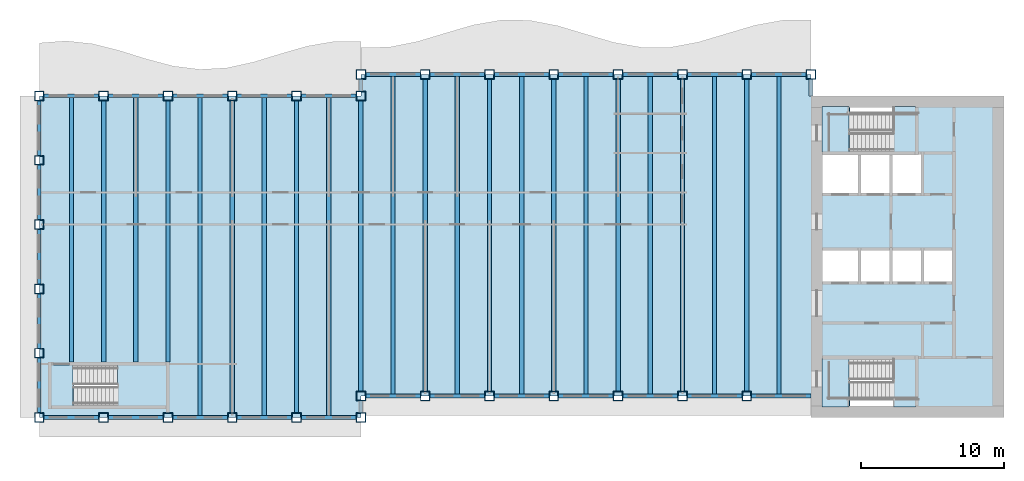
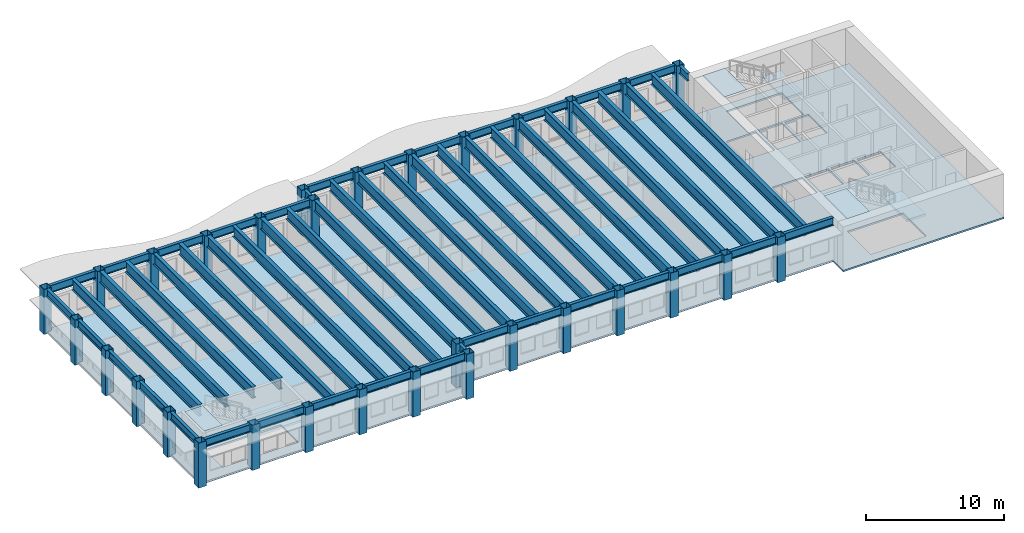
# One storey, part 1 of 12: 55 beams, 31 columns, 7 slabs, 3 elements without a shape of their own.
"""IFC4 building model written with IfcOpenShell, lengths in metres."""

from ifc_helpers import new_model, si_unit, direction, frame, origin, origin_2d, place, context, subcontext, project, spatial, polyline, hollow_rectangle, i_section, outline, extrude, material, layer, layer_set, material_profile, profile_set, type_object, element, aggregate, save


model = new_model("IFC4")

# Units and contexts
model_context = context("Model", 3, precision=1e-05, world=origin(), true_north=direction((0.0, 1.0)))
body_context = subcontext(model_context, "Body", "Model", "MODEL_VIEW")
ifc_project = project(units=[si_unit("LENGTHUNIT", "METRE"), si_unit("AREAUNIT", "SQUARE_METRE"), si_unit("VOLUMEUNIT", "CUBIC_METRE"), si_unit("PLANEANGLEUNIT", "RADIAN"), si_unit("MASSUNIT", "GRAM", prefix="KILO")], contexts=[model_context])

# Site, building, storey
site_placement = place(None, origin())
site = spatial("IfcSite", under=ifc_project, at=site_placement, CompositionType="ELEMENT")
building_placement = place(site_placement, origin())
building = spatial("IfcBuilding", under=site, at=building_placement, Name="Sennacour Bend Tower", CompositionType="ELEMENT")
storey_placement = place(building_placement, frame((0.0, 0.0, 285.0)))
storey = spatial("IfcBuildingStorey", under=building, at=storey_placement, Name="L66", CompositionType="ELEMENT", Elevation=285.0)

# Columns
ifc_material_1 = material(Name="Steel ASTM A572 Grade 50", Category="steel")
ifc_material_profile_1 = material_profile(ifc_material_1, hollow_rectangle(XDim=0.64990234375, YDim=0.64990234375, WallThickness=0.031982421875, at=origin_2d()), Name="Steel ASTM A572 Grade 50", Category="steel")
ifc_profile_set_1 = profile_set([ifc_material_profile_1], Name="Steel ASTM A572 Grade 50")
column_type = type_object("IfcColumnType", Name="Box column 650", PredefinedType="COLUMN", material=ifc_profile_set_1)
for number, where, z_axis, x_axis, name in (
    (1, (0.0, 0.0, -0.14990234375), (0.0, 0.0, 1.0), (1.0, 0.0, 0.0), "Perimeter column C5 L66-001"),
    (2, (0.0, 4.5, -0.14990234375), (0.0, 0.0, 1.0), (1.0, 0.0, 0.0), "Perimeter column C5 L66-002"),
    (3, (0.0, 9.0, -0.14990234375), (0.0, 0.0, 1.0), (1.0, 0.0, 0.0), "Perimeter column C5 L66-003"),
    (4, (0.0, 13.5, -0.14990234375), (0.0, 0.0, 1.0), (1.0, 0.0, 0.0), "Perimeter column C5 L66-004"),
    (5, (0.0, 18.0, -0.14990234375), (0.0, 0.0, 1.0), (1.0, 0.0, 0.0), "Perimeter column C5 L66-005"),
    (6, (0.0, 22.5, -0.14990234375), (0.0, 0.0, 1.0), (1.0, 0.0, 0.0), "Perimeter column C5 L66-006"),
    (7, (4.5, 0.0, -0.14990234375), (0.0, 0.0, 1.0), (1.0, 0.0, 0.0), "Perimeter column C5 L66-007"),
    (8, (4.5, 22.5, -0.14990234375), (0.0, 0.0, 1.0), (1.0, 0.0, 0.0), "Perimeter column C5 L66-008"),
    (9, (9.0, 0.0, -0.14990234375), (0.0, 0.0, 1.0), (1.0, 0.0, 0.0), "Perimeter column C5 L66-009"),
    (10, (9.0, 22.5, -0.14990234375), (0.0, 0.0, 1.0), (1.0, 0.0, 0.0), "Perimeter column C5 L66-010"),
    (11, (13.5, 0.0, -0.14990234375), (0.0, 0.0, 1.0), (1.0, 0.0, 0.0), "Perimeter column C5 L66-011"),
    (12, (13.5, 22.5, -0.14990234375), (0.0, 0.0, 1.0), (1.0, 0.0, 0.0), "Perimeter column C5 L66-012"),
    (13, (18.0, 0.0, -0.14990234375), (0.0, 0.0, 1.0), (1.0, 0.0, 0.0), "Perimeter column C5 L66-013"),
    (14, (18.0, 22.5, -0.14990234375), (0.0, 0.0, 1.0), (1.0, 0.0, 0.0), "Perimeter column C5 L66-014"),
    (15, (22.5, 0.0, -0.14990234375), (0.0, 0.0, 1.0), (1.0, 0.0, 0.0), "Perimeter column C5 L66-015"),
    (16, (22.5, 1.5, -0.14990234375), (0.0, 0.0, 1.0), (1.0, 0.0, 0.0), "Perimeter column C5 L66-016"),
    (17, (22.5, 22.5, -0.14990234375), (0.0, 0.0, 1.0), (1.0, 0.0, 0.0), "Perimeter column C5 L66-017"),
    (18, (22.5, 24.0, -0.14990234375), (0.0, 0.0, 1.0), (1.0, 0.0, 0.0), "Perimeter column C5 L66-018"),
    (19, (27.0, 1.5, -0.14990234375), (0.0, 0.0, 1.0), (1.0, 0.0, 0.0), "Perimeter column C5 L66-019"),
    (20, (27.0, 24.0, -0.14990234375), (0.0, 0.0, 1.0), (1.0, 0.0, 0.0), "Perimeter column C5 L66-020"),
    (21, (31.5, 1.5, -0.14990234375), (0.0, 0.0, 1.0), (1.0, 0.0, 0.0), "Perimeter column C5 L66-021"),
    (22, (31.5, 24.0, -0.14990234375), (0.0, 0.0, 1.0), (1.0, 0.0, 0.0), "Perimeter column C5 L66-022"),
    (23, (36.0, 1.5, -0.14990234375), (0.0, 0.0, 1.0), (1.0, 0.0, 0.0), "Perimeter column C5 L66-023"),
    (24, (36.0, 24.0, -0.14990234375), (0.0, 0.0, 1.0), (1.0, 0.0, 0.0), "Perimeter column C5 L66-024"),
    (25, (40.5, 1.5, -0.14990234375), (0.0, 0.0, 1.0), (1.0, 0.0, 0.0), "Perimeter column C5 L66-025"),
    (26, (40.5, 24.0, -0.14990234375), (0.0, 0.0, 1.0), (1.0, 0.0, 0.0), "Perimeter column C5 L66-026"),
    (27, (45.0, 1.5, -0.14990234375), (0.0, 0.0, 1.0), (1.0, 0.0, 0.0), "Perimeter column C5 L66-027"),
    (28, (45.0, 24.0, -0.14990234375), (0.0, 0.0, 1.0), (1.0, 0.0, 0.0), "Perimeter column C5 L66-028"),
    (29, (49.5, 1.5, -0.14990234375), (0.0, 0.0, 1.0), (1.0, 0.0, 0.0), "Perimeter column C5 L66-029"),
    (30, (49.5, 24.0, -0.14990234375), (0.0, 0.0, 1.0), (1.0, 0.0, 0.0), "Perimeter column C5 L66-030"),
    (31, (54.0, 24.0, -0.14990234375), (0.0, 0.0, 1.0), (1.0, 0.0, 0.0), "Perimeter column C5 L66-031"),
):
    element("IfcColumn", number, at=place(storey_placement, frame(where, z_axis=z_axis, x_axis=x_axis)), inside=storey, type_object=column_type, Name=name, PredefinedType="COLUMN", context=body_context, shape_type="SweptSolid", body=[
        extrude(hollow_rectangle(XDim=0.64990234375, YDim=0.64990234375, WallThickness=0.031982421875, at=origin_2d()), origin(), (0.0, 0.0, 1.0), 4.0),
    ])

# Beams
ifc_material_2 = material(Name="Steel ASTM A992 Grade 50", Category="steel")
ifc_material_profile_2 = material_profile(ifc_material_2, i_section(OverallWidth=0.300048828125, OverallDepth=0.97998046875, WebThickness=0.0166015625, FlangeThickness=0.026123046875, FilletRadius=0.02978515625, at=origin_2d()), Name="Steel ASTM A992 Grade 50", Category="steel")
ifc_profile_set_2 = profile_set([ifc_material_profile_2], Name="Steel ASTM A992 Grade 50")
beam_type_1 = type_object("IfcBeamType", Name="Floor beam W1000X249", PredefinedType="BEAM", material=ifc_profile_set_2)
beam_1_placement = place(storey_placement, frame((2.25, 3.875, 3.360107421875), z_axis=(0.0, 1.0, 0.0), x_axis=(-1.0, 0.0, 0.0)))
element("IfcBeam", 32, at=beam_1_placement, inside=storey, type_object=beam_type_1, Name="Floor beam FBM2 L67-001", PredefinedType="BEAM", context=body_context, shape_type="SweptSolid", body=[
    extrude(i_section(OverallWidth=0.300048828125, OverallDepth=0.97998046875, WebThickness=0.0166015625, FlangeThickness=0.026123046875, FilletRadius=0.02978515625, at=origin_2d()), origin(), (0.0, 0.0, 1.0), 18.498046875),
])
beam_2_placement = place(storey_placement, frame((4.5, 3.875, 3.360107421875), z_axis=(0.0, 1.0, 0.0), x_axis=(-1.0, 0.0, 0.0)))
element("IfcBeam", 33, at=beam_2_placement, inside=storey, type_object=beam_type_1, Name="Floor beam FBM2 L67-002", PredefinedType="BEAM", context=body_context, shape_type="SweptSolid", body=[
    extrude(i_section(OverallWidth=0.300048828125, OverallDepth=0.97998046875, WebThickness=0.0166015625, FlangeThickness=0.026123046875, FilletRadius=0.02978515625, at=origin_2d()), origin(), (0.0, 0.0, 1.0), 18.300048828125),
])
beam_3_placement = place(storey_placement, frame((6.75, 3.875, 3.360107421875), z_axis=(0.0, 1.0, 0.0), x_axis=(-1.0, 0.0, 0.0)))
element("IfcBeam", 34, at=beam_3_placement, inside=storey, type_object=beam_type_1, Name="Floor beam FBM2 L67-003", PredefinedType="BEAM", context=body_context, shape_type="SweptSolid", body=[
    extrude(i_section(OverallWidth=0.300048828125, OverallDepth=0.97998046875, WebThickness=0.0166015625, FlangeThickness=0.026123046875, FilletRadius=0.02978515625, at=origin_2d()), origin(), (0.0, 0.0, 1.0), 18.498046875),
])
beam_4_placement = place(storey_placement, frame((9.0, 3.875, 3.360107421875), z_axis=(0.0, 1.0, 0.0), x_axis=(-1.0, 0.0, 0.0)))
element("IfcBeam", 35, at=beam_4_placement, inside=storey, type_object=beam_type_1, Name="Floor beam FBM2 L67-004", PredefinedType="BEAM", context=body_context, shape_type="SweptSolid", body=[
    extrude(i_section(OverallWidth=0.300048828125, OverallDepth=0.97998046875, WebThickness=0.0166015625, FlangeThickness=0.026123046875, FilletRadius=0.02978515625, at=origin_2d()), origin(), (0.0, 0.0, 1.0), 18.300048828125),
])
beam_5_placement = place(storey_placement, frame((11.25, 0.126953125, 3.360107421875), z_axis=(0.0, 1.0, 0.0), x_axis=(-1.0, 0.0, 0.0)))
element("IfcBeam", 36, at=beam_5_placement, inside=storey, type_object=beam_type_1, Name="Floor beam FBM2 L67-005", PredefinedType="BEAM", context=body_context, shape_type="SweptSolid", body=[
    extrude(i_section(OverallWidth=0.300048828125, OverallDepth=0.97998046875, WebThickness=0.0166015625, FlangeThickness=0.026123046875, FilletRadius=0.02978515625, at=origin_2d()), origin(), (0.0, 0.0, 1.0), 22.24609375),
])
beam_6_placement = place(storey_placement, frame((13.5, 0.324951171875, 3.360107421875), z_axis=(0.0, 1.0, 0.0), x_axis=(-1.0, 0.0, 0.0)))
element("IfcBeam", 37, at=beam_6_placement, inside=storey, type_object=beam_type_1, Name="Floor beam FBM2 L67-006", PredefinedType="BEAM", context=body_context, shape_type="SweptSolid", body=[
    extrude(i_section(OverallWidth=0.300048828125, OverallDepth=0.97998046875, WebThickness=0.0166015625, FlangeThickness=0.026123046875, FilletRadius=0.02978515625, at=origin_2d()), origin(), (0.0, 0.0, 1.0), 21.85009765625),
])
beam_7_placement = place(storey_placement, frame((15.75, 0.126953125, 3.360107421875), z_axis=(0.0, 1.0, 0.0), x_axis=(-1.0, 0.0, 0.0)))
element("IfcBeam", 38, at=beam_7_placement, inside=storey, type_object=beam_type_1, Name="Floor beam FBM2 L67-007", PredefinedType="BEAM", context=body_context, shape_type="SweptSolid", body=[
    extrude(i_section(OverallWidth=0.300048828125, OverallDepth=0.97998046875, WebThickness=0.0166015625, FlangeThickness=0.026123046875, FilletRadius=0.02978515625, at=origin_2d()), origin(), (0.0, 0.0, 1.0), 22.24609375),
])
beam_8_placement = place(storey_placement, frame((18.0, 0.324951171875, 3.360107421875), z_axis=(0.0, 1.0, 0.0), x_axis=(-1.0, 0.0, 0.0)))
element("IfcBeam", 39, at=beam_8_placement, inside=storey, type_object=beam_type_1, Name="Floor beam FBM2 L67-008", PredefinedType="BEAM", context=body_context, shape_type="SweptSolid", body=[
    extrude(i_section(OverallWidth=0.300048828125, OverallDepth=0.97998046875, WebThickness=0.0166015625, FlangeThickness=0.026123046875, FilletRadius=0.02978515625, at=origin_2d()), origin(), (0.0, 0.0, 1.0), 21.85009765625),
])
beam_9_placement = place(storey_placement, frame((20.25, 0.126953125, 3.360107421875), z_axis=(0.0, 1.0, 0.0), x_axis=(-1.0, 0.0, 0.0)))
element("IfcBeam", 40, at=beam_9_placement, inside=storey, type_object=beam_type_1, Name="Floor beam FBM2 L67-009", PredefinedType="BEAM", context=body_context, shape_type="SweptSolid", body=[
    extrude(i_section(OverallWidth=0.300048828125, OverallDepth=0.97998046875, WebThickness=0.0166015625, FlangeThickness=0.026123046875, FilletRadius=0.02978515625, at=origin_2d()), origin(), (0.0, 0.0, 1.0), 22.24609375),
])
beam_10_placement = place(storey_placement, frame((22.5, 1.824951171875, 3.360107421875), z_axis=(0.0, 1.0, 0.0), x_axis=(-1.0, 0.0, 0.0)))
element("IfcBeam", 41, at=beam_10_placement, inside=storey, type_object=beam_type_1, Name="Floor beam FBM2 L67-010", PredefinedType="BEAM", context=body_context, shape_type="SweptSolid", body=[
    extrude(i_section(OverallWidth=0.300048828125, OverallDepth=0.97998046875, WebThickness=0.0166015625, FlangeThickness=0.026123046875, FilletRadius=0.02978515625, at=origin_2d()), origin(), (0.0, 0.0, 1.0), 20.35009765625),
])
beam_11_placement = place(storey_placement, frame((24.75, 1.626953125, 3.360107421875), z_axis=(0.0, 1.0, 0.0), x_axis=(-1.0, 0.0, 0.0)))
element("IfcBeam", 42, at=beam_11_placement, inside=storey, type_object=beam_type_1, Name="Floor beam FBM2 L67-011", PredefinedType="BEAM", context=body_context, shape_type="SweptSolid", body=[
    extrude(i_section(OverallWidth=0.300048828125, OverallDepth=0.97998046875, WebThickness=0.0166015625, FlangeThickness=0.026123046875, FilletRadius=0.02978515625, at=origin_2d()), origin(), (0.0, 0.0, 1.0), 22.24609375),
])
beam_12_placement = place(storey_placement, frame((27.0, 1.824951171875, 3.360107421875), z_axis=(0.0, 1.0, 0.0), x_axis=(-1.0, 0.0, 0.0)))
element("IfcBeam", 43, at=beam_12_placement, inside=storey, type_object=beam_type_1, Name="Floor beam FBM2 L67-012", PredefinedType="BEAM", context=body_context, shape_type="SweptSolid", body=[
    extrude(i_section(OverallWidth=0.300048828125, OverallDepth=0.97998046875, WebThickness=0.0166015625, FlangeThickness=0.026123046875, FilletRadius=0.02978515625, at=origin_2d()), origin(), (0.0, 0.0, 1.0), 21.85009765625),
])
beam_13_placement = place(storey_placement, frame((29.25, 1.626953125, 3.360107421875), z_axis=(0.0, 1.0, 0.0), x_axis=(-1.0, 0.0, 0.0)))
element("IfcBeam", 44, at=beam_13_placement, inside=storey, type_object=beam_type_1, Name="Floor beam FBM2 L67-013", PredefinedType="BEAM", context=body_context, shape_type="SweptSolid", body=[
    extrude(i_section(OverallWidth=0.300048828125, OverallDepth=0.97998046875, WebThickness=0.0166015625, FlangeThickness=0.026123046875, FilletRadius=0.02978515625, at=origin_2d()), origin(), (0.0, 0.0, 1.0), 22.24609375),
])
beam_14_placement = place(storey_placement, frame((31.5, 1.824951171875, 3.360107421875), z_axis=(0.0, 1.0, 0.0), x_axis=(-1.0, 0.0, 0.0)))
element("IfcBeam", 45, at=beam_14_placement, inside=storey, type_object=beam_type_1, Name="Floor beam FBM2 L67-014", PredefinedType="BEAM", context=body_context, shape_type="SweptSolid", body=[
    extrude(i_section(OverallWidth=0.300048828125, OverallDepth=0.97998046875, WebThickness=0.0166015625, FlangeThickness=0.026123046875, FilletRadius=0.02978515625, at=origin_2d()), origin(), (0.0, 0.0, 1.0), 21.85009765625),
])
beam_15_placement = place(storey_placement, frame((33.75, 1.626953125, 3.360107421875), z_axis=(0.0, 1.0, 0.0), x_axis=(-1.0, 0.0, 0.0)))
element("IfcBeam", 46, at=beam_15_placement, inside=storey, type_object=beam_type_1, Name="Floor beam FBM2 L67-015", PredefinedType="BEAM", context=body_context, shape_type="SweptSolid", body=[
    extrude(i_section(OverallWidth=0.300048828125, OverallDepth=0.97998046875, WebThickness=0.0166015625, FlangeThickness=0.026123046875, FilletRadius=0.02978515625, at=origin_2d()), origin(), (0.0, 0.0, 1.0), 22.24609375),
])
beam_16_placement = place(storey_placement, frame((36.0, 1.824951171875, 3.360107421875), z_axis=(0.0, 1.0, 0.0), x_axis=(-1.0, 0.0, 0.0)))
element("IfcBeam", 47, at=beam_16_placement, inside=storey, type_object=beam_type_1, Name="Floor beam FBM2 L67-016", PredefinedType="BEAM", context=body_context, shape_type="SweptSolid", body=[
    extrude(i_section(OverallWidth=0.300048828125, OverallDepth=0.97998046875, WebThickness=0.0166015625, FlangeThickness=0.026123046875, FilletRadius=0.02978515625, at=origin_2d()), origin(), (0.0, 0.0, 1.0), 21.85009765625),
])
beam_17_placement = place(storey_placement, frame((38.25, 1.626953125, 3.360107421875), z_axis=(0.0, 1.0, 0.0), x_axis=(-1.0, 0.0, 0.0)))
element("IfcBeam", 48, at=beam_17_placement, inside=storey, type_object=beam_type_1, Name="Floor beam FBM2 L67-017", PredefinedType="BEAM", context=body_context, shape_type="SweptSolid", body=[
    extrude(i_section(OverallWidth=0.300048828125, OverallDepth=0.97998046875, WebThickness=0.0166015625, FlangeThickness=0.026123046875, FilletRadius=0.02978515625, at=origin_2d()), origin(), (0.0, 0.0, 1.0), 22.24609375),
])
beam_18_placement = place(storey_placement, frame((40.5, 1.824951171875, 3.360107421875), z_axis=(0.0, 1.0, 0.0), x_axis=(-1.0, 0.0, 0.0)))
element("IfcBeam", 49, at=beam_18_placement, inside=storey, type_object=beam_type_1, Name="Floor beam FBM2 L67-018", PredefinedType="BEAM", context=body_context, shape_type="SweptSolid", body=[
    extrude(i_section(OverallWidth=0.300048828125, OverallDepth=0.97998046875, WebThickness=0.0166015625, FlangeThickness=0.026123046875, FilletRadius=0.02978515625, at=origin_2d()), origin(), (0.0, 0.0, 1.0), 21.85009765625),
])
beam_19_placement = place(storey_placement, frame((42.75, 1.626953125, 3.360107421875), z_axis=(0.0, 1.0, 0.0), x_axis=(-1.0, 0.0, 0.0)))
element("IfcBeam", 50, at=beam_19_placement, inside=storey, type_object=beam_type_1, Name="Floor beam FBM2 L67-019", PredefinedType="BEAM", context=body_context, shape_type="SweptSolid", body=[
    extrude(i_section(OverallWidth=0.300048828125, OverallDepth=0.97998046875, WebThickness=0.0166015625, FlangeThickness=0.026123046875, FilletRadius=0.02978515625, at=origin_2d()), origin(), (0.0, 0.0, 1.0), 22.24609375),
])
beam_20_placement = place(storey_placement, frame((45.0, 1.824951171875, 3.360107421875), z_axis=(0.0, 1.0, 0.0), x_axis=(-1.0, 0.0, 0.0)))
element("IfcBeam", 51, at=beam_20_placement, inside=storey, type_object=beam_type_1, Name="Floor beam FBM2 L67-020", PredefinedType="BEAM", context=body_context, shape_type="SweptSolid", body=[
    extrude(i_section(OverallWidth=0.300048828125, OverallDepth=0.97998046875, WebThickness=0.0166015625, FlangeThickness=0.026123046875, FilletRadius=0.02978515625, at=origin_2d()), origin(), (0.0, 0.0, 1.0), 21.85009765625),
])
beam_21_placement = place(storey_placement, frame((47.25, 1.626953125, 3.360107421875), z_axis=(0.0, 1.0, 0.0), x_axis=(-1.0, 0.0, 0.0)))
element("IfcBeam", 52, at=beam_21_placement, inside=storey, type_object=beam_type_1, Name="Floor beam FBM2 L67-021", PredefinedType="BEAM", context=body_context, shape_type="SweptSolid", body=[
    extrude(i_section(OverallWidth=0.300048828125, OverallDepth=0.97998046875, WebThickness=0.0166015625, FlangeThickness=0.026123046875, FilletRadius=0.02978515625, at=origin_2d()), origin(), (0.0, 0.0, 1.0), 22.24609375),
])
beam_22_placement = place(storey_placement, frame((49.5, 1.824951171875, 3.360107421875), z_axis=(0.0, 1.0, 0.0), x_axis=(-1.0, 0.0, 0.0)))
element("IfcBeam", 53, at=beam_22_placement, inside=storey, type_object=beam_type_1, Name="Floor beam FBM2 L67-022", PredefinedType="BEAM", context=body_context, shape_type="SweptSolid", body=[
    extrude(i_section(OverallWidth=0.300048828125, OverallDepth=0.97998046875, WebThickness=0.0166015625, FlangeThickness=0.026123046875, FilletRadius=0.02978515625, at=origin_2d()), origin(), (0.0, 0.0, 1.0), 21.85009765625),
])
beam_23_placement = place(storey_placement, frame((51.75, 1.626953125, 3.360107421875), z_axis=(0.0, 1.0, 0.0), x_axis=(-1.0, 0.0, 0.0)))
element("IfcBeam", 54, at=beam_23_placement, inside=storey, type_object=beam_type_1, Name="Floor beam FBM2 L67-023", PredefinedType="BEAM", context=body_context, shape_type="SweptSolid", body=[
    extrude(i_section(OverallWidth=0.300048828125, OverallDepth=0.97998046875, WebThickness=0.0166015625, FlangeThickness=0.026123046875, FilletRadius=0.02978515625, at=origin_2d()), origin(), (0.0, 0.0, 1.0), 22.24609375),
])
ifc_material_profile_3 = material_profile(ifc_material_2, i_section(OverallWidth=0.25390625, OverallDepth=0.68798828125, WebThickness=0.01318359375, FlangeThickness=0.02099609375, FilletRadius=0.01513671875, at=origin_2d()), Name="Steel ASTM A992 Grade 50", Category="steel")
ifc_profile_set_3 = profile_set([ifc_material_profile_3], Name="Steel ASTM A992 Grade 50")
beam_type_2 = type_object("IfcBeamType", Name="Spandrel beam W690X152", PredefinedType="SPANDREL", material=ifc_profile_set_3)
for number, where, z_axis, x_axis, name in (
    (55, (22.175048828125, 0.0, 3.506103515625), (-1.0, 0.0, 0.0), (0.0, -1.0, 0.0), "Spandrel beam SP6 L67-001"),
    (56, (17.675048828125, 0.0, 3.506103515625), (-1.0, 0.0, 0.0), (0.0, -1.0, 0.0), "Spandrel beam SP6 L67-002"),
    (57, (13.175048828125, 0.0, 3.506103515625), (-1.0, 0.0, 0.0), (0.0, -1.0, 0.0), "Spandrel beam SP6 L67-003"),
    (58, (8.675048828125, 0.0, 3.506103515625), (-1.0, 0.0, 0.0), (0.0, -1.0, 0.0), "Spandrel beam SP6 L67-004"),
    (59, (4.175048828125, 0.0, 3.506103515625), (-1.0, 0.0, 0.0), (0.0, -1.0, 0.0), "Spandrel beam SP6 L67-005"),
    (60, (0.0, 0.324951171875, 3.506103515625), (0.0, 1.0, 0.0), (-1.0, 0.0, 0.0), "Spandrel beam SP6 L67-006"),
    (61, (0.0, 4.824951171875, 3.506103515625), (0.0, 1.0, 0.0), (-1.0, 0.0, 0.0), "Spandrel beam SP6 L67-007"),
    (62, (0.0, 9.324951171875, 3.506103515625), (0.0, 1.0, 0.0), (-1.0, 0.0, 0.0), "Spandrel beam SP6 L67-008"),
    (63, (0.0, 13.824951171875, 3.506103515625), (0.0, 1.0, 0.0), (-1.0, 0.0, 0.0), "Spandrel beam SP6 L67-009"),
    (64, (0.0, 18.324951171875, 3.506103515625), (0.0, 1.0, 0.0), (-1.0, 0.0, 0.0), "Spandrel beam SP6 L67-010"),
    (65, (0.324951171875, 22.5, 3.506103515625), (1.0, 0.0, 0.0), (0.0, 1.0, 0.0), "Spandrel beam SP6 L67-011"),
    (66, (4.824951171875, 22.5, 3.506103515625), (1.0, 0.0, 0.0), (0.0, 1.0, 0.0), "Spandrel beam SP6 L67-012"),
    (67, (9.324951171875, 22.5, 3.506103515625), (1.0, 0.0, 0.0), (0.0, 1.0, 0.0), "Spandrel beam SP6 L67-013"),
    (68, (13.824951171875, 22.5, 3.506103515625), (1.0, 0.0, 0.0), (0.0, 1.0, 0.0), "Spandrel beam SP6 L67-014"),
    (69, (18.324951171875, 22.5, 3.506103515625), (1.0, 0.0, 0.0), (0.0, 1.0, 0.0), "Spandrel beam SP6 L67-015"),
):
    element("IfcBeam", number, at=place(storey_placement, frame(where, z_axis=z_axis, x_axis=x_axis)), inside=storey, type_object=beam_type_2, Name=name, PredefinedType="SPANDREL", context=body_context, shape_type="SweptSolid", body=[
        extrude(i_section(OverallWidth=0.25390625, OverallDepth=0.68798828125, WebThickness=0.01318359375, FlangeThickness=0.02099609375, FilletRadius=0.01513671875, at=origin_2d()), origin(), (0.0, 0.0, 1.0), 3.85009765625),
    ])
beam_24_placement = place(storey_placement, frame((22.5, 22.824951171875, 3.506103515625), z_axis=(0.0, 1.0, 0.0), x_axis=(-1.0, 0.0, 0.0)))
element("IfcBeam", 70, at=beam_24_placement, inside=storey, type_object=beam_type_2, Name="Spandrel beam SP6 L67-016", PredefinedType="SPANDREL", context=body_context, shape_type="SweptSolid", body=[
    extrude(i_section(OverallWidth=0.25390625, OverallDepth=0.68798828125, WebThickness=0.01318359375, FlangeThickness=0.02099609375, FilletRadius=0.01513671875, at=origin_2d()), origin(), (0.0, 0.0, 1.0), 0.85009765625),
])
for number, where, z_axis, x_axis, name in (
    (71, (22.824951171875, 24.0, 3.506103515625), (1.0, 0.0, 0.0), (0.0, 1.0, 0.0), "Spandrel beam SP6 L67-017"),
    (72, (27.324951171875, 24.0, 3.506103515625), (1.0, 0.0, 0.0), (0.0, 1.0, 0.0), "Spandrel beam SP6 L67-018"),
    (73, (31.824951171875, 24.0, 3.506103515625), (1.0, 0.0, 0.0), (0.0, 1.0, 0.0), "Spandrel beam SP6 L67-019"),
    (74, (36.324951171875, 24.0, 3.506103515625), (1.0, 0.0, 0.0), (0.0, 1.0, 0.0), "Spandrel beam SP6 L67-020"),
    (75, (40.824951171875, 24.0, 3.506103515625), (1.0, 0.0, 0.0), (0.0, 1.0, 0.0), "Spandrel beam SP6 L67-021"),
    (76, (45.324951171875, 24.0, 3.506103515625), (1.0, 0.0, 0.0), (0.0, 1.0, 0.0), "Spandrel beam SP6 L67-022"),
    (77, (49.824951171875, 24.0, 3.506103515625), (1.0, 0.0, 0.0), (0.0, 1.0, 0.0), "Spandrel beam SP6 L67-023"),
):
    element("IfcBeam", number, at=place(storey_placement, frame(where, z_axis=z_axis, x_axis=x_axis)), inside=storey, type_object=beam_type_2, Name=name, PredefinedType="SPANDREL", context=body_context, shape_type="SweptSolid", body=[
        extrude(i_section(OverallWidth=0.25390625, OverallDepth=0.68798828125, WebThickness=0.01318359375, FlangeThickness=0.02099609375, FilletRadius=0.01513671875, at=origin_2d()), origin(), (0.0, 0.0, 1.0), 3.85009765625),
    ])
beam_25_placement = place(storey_placement, frame((54.0, 23.675048828125, 3.506103515625), z_axis=(0.0, -1.0, 0.0), x_axis=(1.0, 0.0, 0.0)))
element("IfcBeam", 78, at=beam_25_placement, inside=storey, type_object=beam_type_2, Name="Spandrel beam SP6 L67-024", PredefinedType="SPANDREL", context=body_context, shape_type="SweptSolid", body=[
    extrude(i_section(OverallWidth=0.25390625, OverallDepth=0.68798828125, WebThickness=0.01318359375, FlangeThickness=0.02099609375, FilletRadius=0.01513671875, at=origin_2d()), origin(), (0.0, 0.0, 1.0), 1.175048828125),
])
beam_26_placement = place(storey_placement, frame((54.0, 1.5, 3.506103515625), z_axis=(-1.0, 0.0, 0.0), x_axis=(0.0, -1.0, 0.0)))
element("IfcBeam", 79, at=beam_26_placement, inside=storey, type_object=beam_type_2, Name="Spandrel beam SP6 L67-025", PredefinedType="SPANDREL", context=body_context, shape_type="SweptSolid", body=[
    extrude(i_section(OverallWidth=0.25390625, OverallDepth=0.68798828125, WebThickness=0.01318359375, FlangeThickness=0.02099609375, FilletRadius=0.01513671875, at=origin_2d()), origin(), (0.0, 0.0, 1.0), 4.175048828125),
])
for number, where, z_axis, x_axis, name in (
    (80, (49.175048828125, 1.5, 3.506103515625), (-1.0, 0.0, 0.0), (0.0, -1.0, 0.0), "Spandrel beam SP6 L67-026"),
    (81, (44.675048828125, 1.5, 3.506103515625), (-1.0, 0.0, 0.0), (0.0, -1.0, 0.0), "Spandrel beam SP6 L67-027"),
    (82, (40.175048828125, 1.5, 3.506103515625), (-1.0, 0.0, 0.0), (0.0, -1.0, 0.0), "Spandrel beam SP6 L67-028"),
    (83, (35.675048828125, 1.5, 3.506103515625), (-1.0, 0.0, 0.0), (0.0, -1.0, 0.0), "Spandrel beam SP6 L67-029"),
    (84, (31.175048828125, 1.5, 3.506103515625), (-1.0, 0.0, 0.0), (0.0, -1.0, 0.0), "Spandrel beam SP6 L67-030"),
    (85, (26.675048828125, 1.5, 3.506103515625), (-1.0, 0.0, 0.0), (0.0, -1.0, 0.0), "Spandrel beam SP6 L67-031"),
):
    element("IfcBeam", number, at=place(storey_placement, frame(where, z_axis=z_axis, x_axis=x_axis)), inside=storey, type_object=beam_type_2, Name=name, PredefinedType="SPANDREL", context=body_context, shape_type="SweptSolid", body=[
        extrude(i_section(OverallWidth=0.25390625, OverallDepth=0.68798828125, WebThickness=0.01318359375, FlangeThickness=0.02099609375, FilletRadius=0.01513671875, at=origin_2d()), origin(), (0.0, 0.0, 1.0), 3.85009765625),
    ])
beam_27_placement = place(storey_placement, frame((22.5, 1.175048828125, 3.506103515625), z_axis=(0.0, -1.0, 0.0), x_axis=(1.0, 0.0, 0.0)))
element("IfcBeam", 86, at=beam_27_placement, inside=storey, type_object=beam_type_2, Name="Spandrel beam SP6 L67-032", PredefinedType="SPANDREL", context=body_context, shape_type="SweptSolid", body=[
    extrude(i_section(OverallWidth=0.25390625, OverallDepth=0.68798828125, WebThickness=0.01318359375, FlangeThickness=0.02099609375, FilletRadius=0.01513671875, at=origin_2d()), origin(), (0.0, 0.0, 1.0), 0.85009765625),
])

# Slabs
ifc_material_3 = material(Name="Concrete C30/37", Category="concrete")
ifc_layer_1 = layer(ifc_material_3, 0.14990234375, Name="Concrete C30/37", Category="concrete")
ifc_layer_set_1 = layer_set([ifc_layer_1], Name="Concrete C30/37")
slab_type_1 = type_object("IfcSlabType", Name="Floor slab 150", PredefinedType="FLOOR", material=ifc_layer_set_1)
slab_1_placement = place(storey_placement, frame((0.0, 0.0, -0.14990234375)))
element("IfcSlab", 87, at=slab_1_placement, inside=storey, type_object=slab_type_1, Name="Floor slab L66-01", PredefinedType="FLOOR", context=body_context, shape_type="SweptSolid", body=[
    extrude(outline(polyline([(0.0, 0.0), (0.0, 22.5), (22.5, 22.5), (22.5, 24.0), (54.0, 24.0), (54.0, 22.5), (67.5, 22.5), (67.5, 0.0), (54.0, 0.0), (54.0, 1.5), (22.5, 1.5), (22.5, 0.0), (0.0, 0.0)]), holes=[polyline([(8.800048828125, 3.5), (2.429931640625, 3.5), (2.429931640625, 0.949951171875), (8.800048828125, 0.949951171875), (8.800048828125, 3.5)]), polyline([(61.39990234375, 4.125), (56.72998046875, 4.125), (56.72998046875, 0.75), (61.39990234375, 0.75), (61.39990234375, 4.125)]), polyline([(57.300048828125, 11.699951171875), (54.800048828125, 11.699951171875), (54.800048828125, 9.5), (57.300048828125, 9.5), (57.300048828125, 11.699951171875)]), polyline([(59.5, 9.5), (59.5, 11.699951171875), (57.5, 11.699951171875), (57.5, 9.5), (59.5, 9.5)]), polyline([(61.699951171875, 9.5), (61.699951171875, 11.699951171875), (59.699951171875, 11.699951171875), (59.699951171875, 9.5), (61.699951171875, 9.5)]), polyline([(63.89990234375, 11.699951171875), (61.89990234375, 11.699951171875), (61.89990234375, 9.5), (63.89990234375, 9.5), (63.89990234375, 11.699951171875)]), polyline([(57.300048828125, 18.39990234375), (54.800048828125, 18.39990234375), (54.800048828125, 15.699951171875), (57.300048828125, 15.699951171875), (57.300048828125, 18.39990234375)]), polyline([(59.5, 18.39990234375), (57.5, 18.39990234375), (57.5, 15.699951171875), (59.5, 15.699951171875), (59.5, 18.39990234375)]), polyline([(61.699951171875, 15.699951171875), (61.699951171875, 18.39990234375), (59.699951171875, 18.39990234375), (59.699951171875, 15.699951171875), (61.699951171875, 15.699951171875)]), polyline([(61.39990234375, 18.574951171875), (61.39990234375, 21.75), (56.72998046875, 21.75), (56.72998046875, 18.574951171875), (61.39990234375, 18.574951171875)])]), origin(), (0.0, 0.0, 1.0), 0.14990234375),
])
ifc_material_4 = material(Name="Concrete C40/50", Category="concrete")
ifc_layer_2 = layer(ifc_material_4, 0.034912109375, Name="Concrete C40/50", Category="concrete")
ifc_layer_set_2 = layer_set([ifc_layer_2], Name="Concrete C40/50")
slab_type_2 = type_object("IfcSlabType", Name="Stair arrival nib 35", PredefinedType="FLOOR", material=ifc_layer_set_2)
slab_2_placement = place(storey_placement, frame((0.0, 0.0, 3.815185546875)))
element("IfcSlab", 88, at=slab_2_placement, inside=storey, type_object=slab_type_2, Name="L66 SA1 stair arrival nib", PredefinedType="FLOOR", context=body_context, shape_type="SweptSolid", body=[
    extrude(outline(polyline([(56.64208984375, 4.125), (54.75, 4.125), (54.75, 0.75), (56.64208984375, 0.75), (56.64208984375, 4.125)])), origin(), (0.0, 0.0, 1.0), 0.034912109375),
])
slab_3_placement = place(storey_placement, frame((0.0, 0.0, 3.815185546875)))
element("IfcSlab", 89, at=slab_3_placement, inside=storey, type_object=slab_type_2, Name="L66 SA2 stair arrival nib", PredefinedType="FLOOR", context=body_context, shape_type="SweptSolid", body=[
    extrude(outline(polyline([(56.64208984375, 21.75), (54.75, 21.75), (54.75, 18.574951171875), (56.64208984375, 18.574951171875), (56.64208984375, 21.75)])), origin(), (0.0, 0.0, 1.0), 0.034912109375),
])
slab_4_placement = place(storey_placement, frame((0.0, 0.0, 3.815185546875)))
element("IfcSlab", 90, at=slab_4_placement, inside=storey, type_object=slab_type_2, Name="L66 SK1 stair arrival nib", PredefinedType="FLOOR", context=body_context, shape_type="SweptSolid", body=[
    extrude(outline(polyline([(2.342041015625, 3.675048828125), (0.800048828125, 3.675048828125), (0.800048828125, 0.800048828125), (2.342041015625, 0.800048828125), (2.342041015625, 3.675048828125)])), origin(), (0.0, 0.0, 1.0), 0.034912109375),
])

# Stair, slab
stair_type = type_object("IfcStairType", Name="ST-DOGLEG", PredefinedType="HALF_TURN_STAIR", material=ifc_material_4)
stair_1_placement = place(storey_placement, origin())
stair_1 = element("IfcStair", 91, at=stair_1_placement, inside=storey, type_object=stair_type, Name="L66 Exit stair A1", PredefinedType="HALF_TURN_STAIR")
ifc_layer_3 = layer(ifc_material_4, 0.199951171875, Name="Concrete C40/50", Category="concrete")
ifc_layer_set_3 = layer_set([ifc_layer_3], Name="Concrete C40/50")
slab_type_3 = type_object("IfcSlabType", Name="Stair landing 200", PredefinedType="LANDING", material=ifc_layer_set_3)
slab_5_placement = place(storey_placement, frame((0.0, 0.0, 1.800048828125)))
slab_5 = element("IfcSlab", 92, at=slab_5_placement, type_object=slab_type_3, Name="SA1 landing 1", PredefinedType="LANDING", context=body_context, shape_type="SweptSolid", body=[
    extrude(outline(polyline([(59.780029296875, 0.75), (61.324951171875, 0.75), (61.324951171875, 4.125), (59.780029296875, 4.125), (59.780029296875, 0.75)])), origin(), (0.0, 0.0, 1.0), 0.199951171875),
])
aggregate(stair_1, [slab_5])

stair_2_placement = place(storey_placement, origin())
stair_2 = element("IfcStair", 93, at=stair_2_placement, inside=storey, type_object=stair_type, Name="L66 Exit stair A2", PredefinedType="HALF_TURN_STAIR")
slab_6_placement = place(storey_placement, frame((0.0, 0.0, 1.800048828125)))
slab_6 = element("IfcSlab", 94, at=slab_6_placement, type_object=slab_type_3, Name="SA2 landing 1", PredefinedType="LANDING", context=body_context, shape_type="SweptSolid", body=[
    extrude(outline(polyline([(59.780029296875, 18.574951171875), (61.324951171875, 18.574951171875), (61.324951171875, 21.75), (59.780029296875, 21.75), (59.780029296875, 18.574951171875)])), origin(), (0.0, 0.0, 1.0), 0.199951171875),
])
aggregate(stair_2, [slab_6])

stair_3_placement = place(storey_placement, origin())
stair_3 = element("IfcStair", 95, at=stair_3_placement, inside=storey, type_object=stair_type, Name="L66 Exit stair K1", PredefinedType="HALF_TURN_STAIR")
slab_7_placement = place(storey_placement, frame((0.0, 0.0, 1.800048828125)))
slab_7 = element("IfcSlab", 96, at=slab_7_placement, type_object=slab_type_3, Name="SK1 landing 1", PredefinedType="LANDING", context=body_context, shape_type="SweptSolid", body=[
    extrude(outline(polyline([(5.47998046875, 0.800048828125), (8.925048828125, 0.800048828125), (8.925048828125, 3.675048828125), (5.47998046875, 3.675048828125), (5.47998046875, 0.800048828125)])), origin(), (0.0, 0.0, 1.0), 0.199951171875),
])
aggregate(stair_3, [slab_7])

save(model, "model.ifc")
